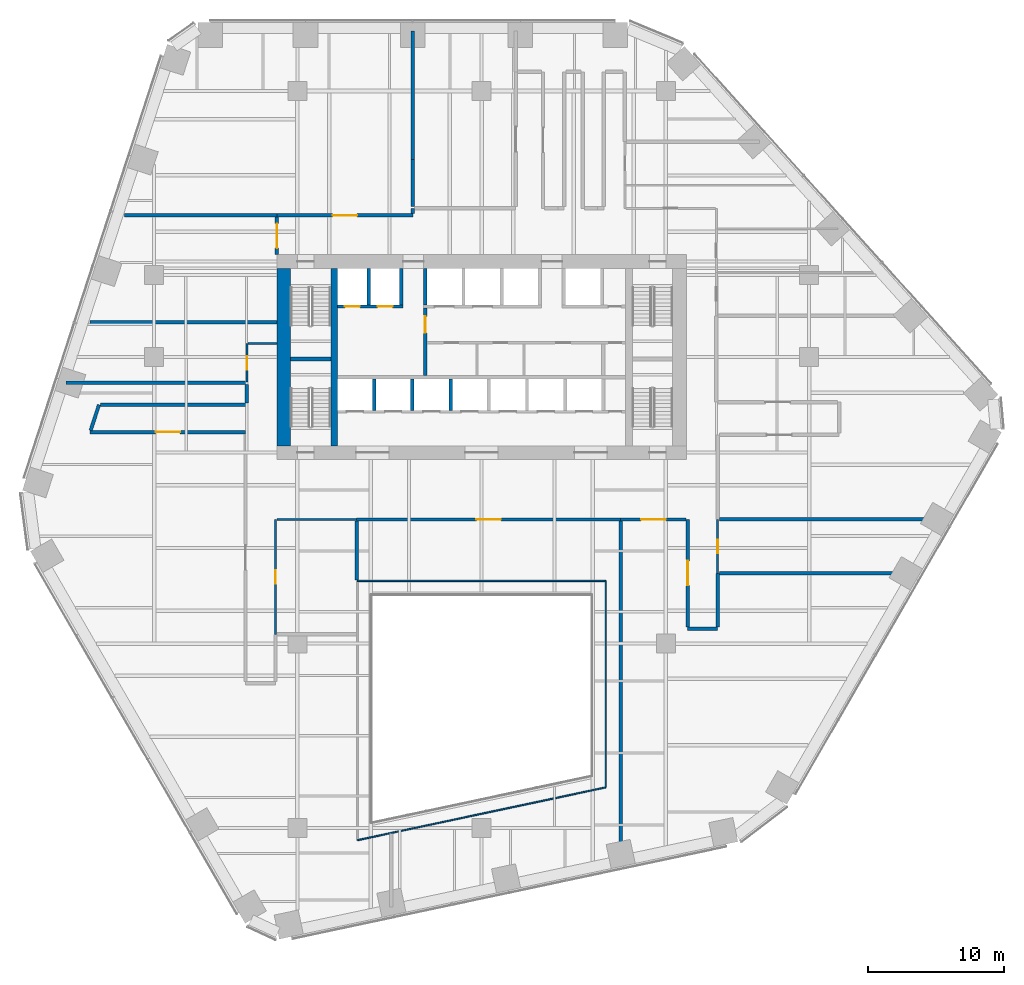
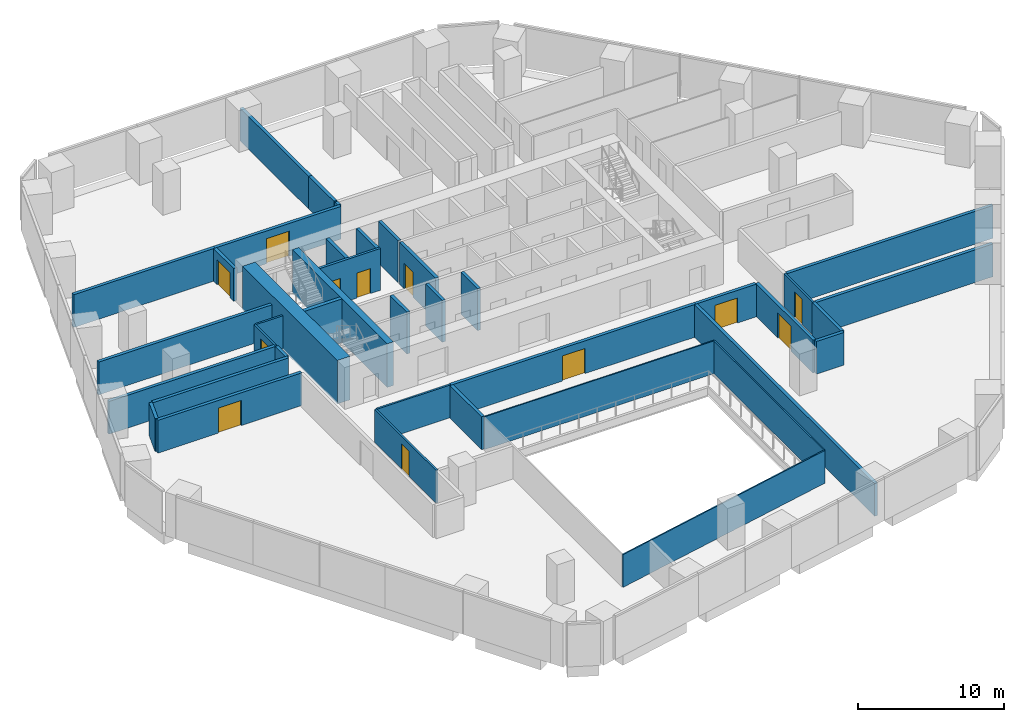
# One storey, part 14 of 21: 40 walls, 12 doors, 12 openings.
"""IFC4 building model written with IfcOpenShell, lengths in metres."""

from ifc_helpers import new_model, si_unit, direction, frame, frame_2d, origin, place, context, subcontext, project, spatial, rectangle, extrude, material, layer, layer_set, type_object, element, fill, save


model = new_model("IFC4")

# Units and contexts
model_context = context("Model", 3, precision=1e-05, world=origin(), true_north=direction((0.0, 1.0)))
body_context = subcontext(model_context, "Body", "Model", "MODEL_VIEW")
ifc_project = project(units=[si_unit("LENGTHUNIT", "METRE"), si_unit("AREAUNIT", "SQUARE_METRE"), si_unit("VOLUMEUNIT", "CUBIC_METRE"), si_unit("PLANEANGLEUNIT", "RADIAN"), si_unit("MASSUNIT", "GRAM", prefix="KILO")], contexts=[model_context])

# Site, building, storey
site_placement = place(None, origin())
site = spatial("IfcSite", under=ifc_project, at=site_placement, CompositionType="ELEMENT")
building_placement = place(site_placement, origin())
building = spatial("IfcBuilding", under=site, at=building_placement, Name="Isthmus Gate Tower", CompositionType="ELEMENT")
storey_placement = place(building_placement, frame((0.0, 0.0, 50.60009765625)))
storey = spatial("IfcBuildingStorey", under=building, at=storey_placement, Name="L10", CompositionType="ELEMENT", Elevation=50.60009765625)

# Wall, opening, door
ifc_material_1 = material(Name="Double-leaf acoustic stud wall, fire-rated", Category="gypsum")
ifc_layer_1 = layer(ifc_material_1, 0.25)
ifc_layer_set_1 = layer_set([ifc_layer_1], Name="ACOUSTIC WALL 250 60 MIN")
wall_type_1 = type_object("IfcWallType", Name="ACOUSTIC WALL 250 60 MIN", PredefinedType="PARTITIONING", material=ifc_layer_set_1)
wall_1_placement = place(storey_placement, frame((10.19189453125, -4.39990234375, 0.0), z_axis=(0.0, 0.0, 1.0), x_axis=(-1.0, 0.0, 0.0)))
wall_1 = element("IfcWall", 1, at=wall_1_placement, inside=storey, type_object=wall_type_1, Name="L10 Acoustic Wall 250 60 Min", PredefinedType="PARTITIONING", context=body_context, shape_type="SweptSolid", body=[
    extrude(rectangle(XDim=19.343994140625, YDim=0.25, at=frame_2d((9.671875, 0.0))), origin(), (0.0, 0.0, 1.0), 2.7412109375),
])
opening_1_placement = place(wall_1_placement, frame((8.77197265625, 0.0, 0.0)))
opening_1 = element("IfcOpeningElement", 2, at=opening_1_placement, cuts=wall_1, Name="Opening DT-T1B-16", PredefinedType="OPENING", context=body_context, shape_type="SweptSolid", body=[
    extrude(rectangle(XDim=1.800048828125, YDim=2.10009765625, at=frame_2d((0.89990234375, 1.050048828125))), frame((0.0, 0.135009765625, 0.0), z_axis=(0.0, -1.0, 0.0), x_axis=(1.0, 0.0, 0.0)), (0.0, 0.0, 1.0), 0.27001953125),
])
ifc_material_2 = material(Name="Solid core timber door leaf, fire-rated", Category="wood")
door_type_1 = type_object("IfcDoorType", Name="FIRE DOOR ACOUSTIC ROOM 1800 X 2100 60 MIN", OperationType="DOUBLE_DOOR_DOUBLE_SWING", PredefinedType="DOOR", material=ifc_material_2)
door_1_placement = place(opening_1_placement, origin())
door_1 = element("IfcDoor", 3, at=door_1_placement, inside=storey, type_object=door_type_1, Name="L10 room door", OperationType="DOUBLE_DOOR_DOUBLE_SWING", OverallHeight=2.10009765625, OverallWidth=1.800048828125, PredefinedType="DOOR", context=body_context, shape_type="SweptSolid", body=[
    extrude(rectangle(XDim=1.800048828125, YDim=2.10009765625, at=frame_2d((0.89990234375, 1.050048828125))), frame((0.0, 0.02490234375, 0.0), z_axis=(0.0, -1.0, 0.0), x_axis=(1.0, 0.0, 0.0)), (0.0, 0.0, 1.0), 0.050048828125),
])
fill(opening_1, door_1)

wall_2_placement = place(storey_placement, frame((14.97509765625, -4.39990234375, 0.0), z_axis=(0.0, 0.0, 1.0), x_axis=(-1.0, 0.0, 0.0)))
wall_2 = element("IfcWall", 4, at=wall_2_placement, inside=storey, type_object=wall_type_1, Name="L10 Acoustic Wall 250 60 Min", PredefinedType="PARTITIONING", context=body_context, shape_type="SweptSolid", body=[
    extrude(rectangle(XDim=4.783203125, YDim=0.25, at=frame_2d((2.3916015625, 0.0))), origin(), (0.0, 0.0, 1.0), 2.7412109375),
])
opening_2_placement = place(wall_2_placement, frame((1.47900390625, 0.0, 0.0)))
opening_2 = element("IfcOpeningElement", 5, at=opening_2_placement, cuts=wall_2, Name="Opening DT-T1B-18", PredefinedType="OPENING", context=body_context, shape_type="SweptSolid", body=[
    extrude(rectangle(XDim=1.800048828125, YDim=2.10009765625, at=frame_2d((0.89990234375, 1.050048828125))), frame((0.0, 0.135009765625, 0.0), z_axis=(0.0, -1.0, 0.0), x_axis=(1.0, 0.0, 0.0)), (0.0, 0.0, 1.0), 0.27001953125),
])
door_2_placement = place(opening_2_placement, origin())
door_2 = element("IfcDoor", 6, at=door_2_placement, inside=storey, type_object=door_type_1, Name="L10 room door", OperationType="DOUBLE_DOOR_DOUBLE_SWING", OverallHeight=2.10009765625, OverallWidth=1.800048828125, PredefinedType="DOOR", context=body_context, shape_type="SweptSolid", body=[
    extrude(rectangle(XDim=1.800048828125, YDim=2.10009765625, at=frame_2d((0.89990234375, 1.050048828125))), frame((0.0, 0.02490234375, 0.0), z_axis=(0.0, -1.0, 0.0), x_axis=(1.0, 0.0, 0.0)), (0.0, 0.0, 1.0), 0.050048828125),
])
fill(opening_2, door_2)

# Walls
wall_3_placement = place(storey_placement, frame((17.300048828125, -12.39990234375, 0.0), z_axis=(0.0, 0.0, 1.0), x_axis=(-1.0, 0.0, 0.0)))
element("IfcWall", 7, at=wall_3_placement, inside=storey, type_object=wall_type_1, Name="L10 Acoustic Wall 250 60 Min", PredefinedType="PARTITIONING", context=body_context, shape_type="SweptSolid", body=[
    extrude(rectangle(XDim=2.199951171875, YDim=0.25, at=frame_2d((1.10009765625, 0.0))), origin(), (0.0, 0.0, 1.0), 2.7412109375),
])
wall_4_placement = place(storey_placement, frame((17.300048828125, -8.35009765625, 0.0), z_axis=(0.0, 0.0, 1.0), x_axis=(0.0, -1.0, 0.0)))
element("IfcWall", 8, at=wall_4_placement, inside=storey, type_object=wall_type_1, Name="L10 Acoustic Wall 250 60 Min", PredefinedType="PARTITIONING", context=body_context, shape_type="SweptSolid", body=[
    extrude(rectangle(XDim=3.9248046875, YDim=0.25, at=frame_2d((1.96240234375, 0.0))), origin(), (0.0, 0.0, 1.0), 2.7412109375),
])

# Wall, opening, door
wall_5_placement = place(storey_placement, frame((-17.300048828125, 2.0, 0.0), z_axis=(0.0, 0.0, 1.0), x_axis=(-1.0, 0.0, 0.0)))
wall_5 = element("IfcWall", 9, at=wall_5_placement, inside=storey, type_object=wall_type_1, Name="L10 Acoustic Wall 250 60 Min", PredefinedType="PARTITIONING", context=body_context, shape_type="SweptSolid", body=[
    extrude(rectangle(XDim=11.386962890625, YDim=0.25, at=frame_2d((5.693359375, 0.0))), origin(), (0.0, 0.0, 1.0), 2.7412109375),
])
opening_3_placement = place(wall_5_placement, frame((4.79345703125, 0.0, 0.0)))
opening_3 = element("IfcOpeningElement", 10, at=opening_3_placement, cuts=wall_5, Name="Opening DT-T1B-15", PredefinedType="OPENING", context=body_context, shape_type="SweptSolid", body=[
    extrude(rectangle(XDim=1.800048828125, YDim=2.10009765625, at=frame_2d((0.89990234375, 1.050048828125))), frame((0.0, 0.135009765625, 0.0), z_axis=(0.0, -1.0, 0.0), x_axis=(1.0, 0.0, 0.0)), (0.0, 0.0, 1.0), 0.27001953125),
])
door_3_placement = place(opening_3_placement, origin())
door_3 = element("IfcDoor", 11, at=door_3_placement, inside=storey, type_object=door_type_1, Name="L10 room door", OperationType="DOUBLE_DOOR_DOUBLE_SWING", OverallHeight=2.10009765625, OverallWidth=1.800048828125, PredefinedType="DOOR", context=body_context, shape_type="SweptSolid", body=[
    extrude(rectangle(XDim=1.800048828125, YDim=2.10009765625, at=frame_2d((0.89990234375, 1.050048828125))), frame((0.0, 0.02490234375, 0.0), z_axis=(0.0, -1.0, 0.0), x_axis=(1.0, 0.0, 0.0)), (0.0, 0.0, 1.0), 0.050048828125),
])
fill(opening_3, door_3)

wall_6_placement = place(storey_placement, frame((-15.0, 17.881103515625, 0.0), z_axis=(0.0, 0.0, 1.0), x_axis=(0.999999975691, -0.000220496356, 0.0)))
wall_6 = element("IfcWall", 12, at=wall_6_placement, inside=storey, type_object=wall_type_1, Name="L10 Acoustic Wall 250 60 Min", PredefinedType="PARTITIONING", context=body_context, shape_type="SweptSolid", body=[
    extrude(rectangle(XDim=9.965087890625, YDim=0.25, at=frame_2d((4.982421875, 0.0))), origin(), (0.0, 0.0, 1.0), 2.7412109375),
])
opening_4_placement = place(wall_6_placement, frame((4.08251953125, 0.0, 0.0)))
opening_4 = element("IfcOpeningElement", 13, at=opening_4_placement, cuts=wall_6, Name="Opening DT-T1B-01", PredefinedType="OPENING", context=body_context, shape_type="SweptSolid", body=[
    extrude(rectangle(XDim=1.800048828125, YDim=2.10009765625, at=frame_2d((0.89990234375, 1.050048828125))), frame((0.0, 0.135009765625, 0.0), z_axis=(0.0, -1.0, 0.0), x_axis=(1.0, 0.0, 0.0)), (0.0, 0.0, 1.0), 0.27001953125),
])
door_4_placement = place(opening_4_placement, origin())
door_4 = element("IfcDoor", 14, at=door_4_placement, inside=storey, type_object=door_type_1, Name="L10 room door", OperationType="DOUBLE_DOOR_DOUBLE_SWING", OverallHeight=2.10009765625, OverallWidth=1.800048828125, PredefinedType="DOOR", context=body_context, shape_type="SweptSolid", body=[
    extrude(rectangle(XDim=1.800048828125, YDim=2.10009765625, at=frame_2d((0.89990234375, 1.050048828125))), frame((0.0, 0.02490234375, 0.0), z_axis=(0.0, -1.0, 0.0), x_axis=(1.0, 0.0, 0.0)), (0.0, 0.0, 1.0), 0.050048828125),
])
fill(opening_4, door_4)

# Walls
wall_7_placement = place(storey_placement, frame((-5.034912109375, 18.00390625, 0.0), z_axis=(0.0, 0.0, 1.0), x_axis=(0.0, 1.0, 0.0)))
element("IfcWall", 15, at=wall_7_placement, inside=storey, type_object=wall_type_1, Name="L10 Acoustic Wall 250 60 Min", PredefinedType="PARTITIONING", context=body_context, shape_type="SweptSolid", body=[
    extrude(rectangle(XDim=0.39599609375, YDim=0.25, at=frame_2d((0.197998046875, 0.0))), origin(), (0.0, 0.0, 1.0), 2.7412109375),
])
wall_8_placement = place(storey_placement, frame((-5.037109375, 21.968017578125, 0.0), z_axis=(0.0, 0.0, 1.0), x_axis=(0.0, 1.0, 0.0)))
element("IfcWall", 16, at=wall_8_placement, inside=storey, type_object=wall_type_1, Name="L10 Acoustic Wall 250 60 Min", PredefinedType="PARTITIONING", context=body_context, shape_type="SweptSolid", body=[
    extrude(rectangle(XDim=9.431884765625, YDim=0.25, at=frame_2d((4.7158203125, 0.0))), origin(), (0.0, 0.0, 1.0), 2.7412109375),
])
wall_9_placement = place(storey_placement, frame((-26.169921875, 17.8828125, 0.0), z_axis=(0.0, 0.0, 1.0), x_axis=(0.999999988296, -0.000152998774, 0.0)))
element("IfcWall", 17, at=wall_9_placement, inside=storey, type_object=wall_type_1, Name="L10 Acoustic Wall 250 60 Min", PredefinedType="PARTITIONING", context=body_context, shape_type="SweptSolid", body=[
    extrude(rectangle(XDim=11.169921875, YDim=0.25, at=frame_2d((5.5849609375, 0.0))), origin(), (0.0, 0.0, 1.0), 2.7412109375),
])
wall_10_placement = place(storey_placement, frame((-5.037109375, 21.968017578125, 0.0), z_axis=(0.0, 0.0, 1.0), x_axis=(0.000567255103, -0.999999839111, 0.0)))
element("IfcWall", 18, at=wall_10_placement, inside=storey, type_object=wall_type_1, Name="L10 Acoustic Wall 250 60 Min", PredefinedType="PARTITIONING", context=body_context, shape_type="SweptSolid", body=[
    extrude(rectangle(XDim=3.443115234375, YDim=0.25, at=frame_2d((1.7216796875, 0.0))), origin(), (0.0, 0.0, 1.0), 2.7412109375),
])

# Wall, opening, door
wall_11_placement = place(storey_placement, frame((-15.001953125, 14.998046875, 0.0), z_axis=(0.0, 0.0, 1.0), x_axis=(0.000708152429, 0.99999974926, 0.0)))
wall_11 = element("IfcWall", 19, at=wall_11_placement, inside=storey, type_object=wall_type_1, Name="L10 Acoustic Wall 250 60 Min", PredefinedType="PARTITIONING", context=body_context, shape_type="SweptSolid", body=[
    extrude(rectangle(XDim=2.758056640625, YDim=0.25, at=frame_2d((1.37890625, 0.0))), origin(), (0.0, 0.0, 1.0), 2.7412109375),
])
opening_5_placement = place(wall_11_placement, frame((0.47900390625, 0.0, 0.0)))
opening_5 = element("IfcOpeningElement", 20, at=opening_5_placement, cuts=wall_11, Name="Opening DT-T1B-07", PredefinedType="OPENING", context=body_context, shape_type="SweptSolid", body=[
    extrude(rectangle(XDim=1.800048828125, YDim=2.10009765625, at=frame_2d((0.89990234375, 1.050048828125))), frame((0.0, 0.135009765625, 0.0), z_axis=(0.0, -1.0, 0.0), x_axis=(1.0, 0.0, 0.0)), (0.0, 0.0, 1.0), 0.27001953125),
])
door_5_placement = place(opening_5_placement, origin())
door_5 = element("IfcDoor", 21, at=door_5_placement, inside=storey, type_object=door_type_1, Name="L10 room door", OperationType="DOUBLE_DOOR_DOUBLE_SWING", OverallHeight=2.10009765625, OverallWidth=1.800048828125, PredefinedType="DOOR", context=body_context, shape_type="SweptSolid", body=[
    extrude(rectangle(XDim=1.800048828125, YDim=2.10009765625, at=frame_2d((0.89990234375, 1.050048828125))), frame((0.0, 0.02490234375, 0.0), z_axis=(0.0, -1.0, 0.0), x_axis=(1.0, 0.0, 0.0)), (0.0, 0.0, 1.0), 0.050048828125),
])
fill(opening_5, door_5)

# Walls
wall_12_placement = place(storey_placement, frame((-28.714111328125, 10.052001953125, 0.0), z_axis=(0.0, 0.0, 1.0), x_axis=(1.0, 0.0, 0.0)))
element("IfcWall", 22, at=wall_12_placement, inside=storey, type_object=wall_type_1, Name="L10 Acoustic Wall 250 60 Min", PredefinedType="PARTITIONING", context=body_context, shape_type="SweptSolid", body=[
    extrude(rectangle(XDim=13.714111328125, YDim=0.25, at=frame_2d((6.85693359375, 0.0))), origin(), (0.0, 0.0, 1.0), 2.7412109375),
])
wall_13_placement = place(storey_placement, frame((-30.450927734375, 5.6298828125, 0.0), z_axis=(0.0, 0.0, 1.0), x_axis=(1.0, 0.0, 0.0)))
element("IfcWall", 23, at=wall_13_placement, inside=storey, type_object=wall_type_1, Name="L10 Acoustic Wall 250 60 Min", PredefinedType="PARTITIONING", context=body_context, shape_type="SweptSolid", body=[
    extrude(rectangle(XDim=13.176025390625, YDim=0.25, at=frame_2d((6.587890625, 0.0))), origin(), (0.0, 0.0, 1.0), 2.7412109375),
])
wall_14_placement = place(storey_placement, frame((17.427001953125, -4.3720703125, 0.0), z_axis=(0.0, 0.0, 1.0), x_axis=(1.0, 0.0, 0.0)))
element("IfcWall", 24, at=wall_14_placement, inside=storey, type_object=wall_type_1, Name="L10 Acoustic Wall 250 60 Min", PredefinedType="PARTITIONING", context=body_context, shape_type="SweptSolid", body=[
    extrude(rectangle(XDim=16.305908203125, YDim=0.25, at=frame_2d((8.15283203125, 0.0))), origin(), (0.0, 0.0, 1.0), 2.7412109375),
])
wall_15_placement = place(storey_placement, frame((-9.152099609375, -8.85205078125, 0.0), z_axis=(0.0, 0.0, 1.0), x_axis=(0.0, 1.0, 0.0)))
element("IfcWall", 25, at=wall_15_placement, inside=storey, type_object=wall_type_1, Name="L10 Acoustic Wall 250 60 Min", PredefinedType="PARTITIONING", context=body_context, shape_type="SweptSolid", body=[
    extrude(rectangle(XDim=4.3271484375, YDim=0.25, at=frame_2d((2.16357421875, 0.0))), origin(), (0.0, 0.0, 1.0), 2.7412109375),
])
wall_16_placement = place(storey_placement, frame((17.425048828125, -8.35009765625, 0.0), z_axis=(0.0, 0.0, 1.0), x_axis=(1.0, 0.0, 0.0)))
element("IfcWall", 26, at=wall_16_placement, inside=storey, type_object=wall_type_1, Name="L10 Acoustic Wall 250 60 Min", PredefinedType="PARTITIONING", context=body_context, shape_type="SweptSolid", body=[
    extrude(rectangle(XDim=14.011962890625, YDim=0.25, at=frame_2d((7.005859375, 0.0))), origin(), (0.0, 0.0, 1.0), 2.7412109375),
])
wall_17_placement = place(storey_placement, frame((-28.646484375, 2.125, 0.0), z_axis=(0.0, 0.0, 1.0), x_axis=(0.309086072338, 0.951034068731, 0.0)))
element("IfcWall", 27, at=wall_17_placement, inside=storey, type_object=wall_type_1, Name="L10 Acoustic Wall 250 60 Min", PredefinedType="PARTITIONING", context=body_context, shape_type="SweptSolid", body=[
    extrude(rectangle(XDim=1.971435546875, YDim=0.25, at=frame_2d((0.98583984375, 0.0))), origin(), (0.0, 0.0, 1.0), 2.7412109375),
])
wall_18_placement = place(storey_placement, frame((-27.912109375, 4.0, 0.0), z_axis=(0.0, 0.0, 1.0), x_axis=(1.0, 0.0, 0.0)))
element("IfcWall", 28, at=wall_18_placement, inside=storey, type_object=wall_type_1, Name="L10 Acoustic Wall 250 60 Min", PredefinedType="PARTITIONING", context=body_context, shape_type="SweptSolid", body=[
    extrude(rectangle(XDim=10.712158203125, YDim=0.25, at=frame_2d((5.35595703125, 0.0))), origin(), (0.0, 0.0, 1.0), 2.7412109375),
])
wall_19_placement = place(storey_placement, frame((-17.199951171875, 4.125, 0.0), z_axis=(0.0, 0.0, 1.0), x_axis=(0.0, 1.0, 0.0)))
element("IfcWall", 29, at=wall_19_placement, inside=storey, type_object=wall_type_1, Name="L10 Acoustic Wall 250 60 Min", PredefinedType="PARTITIONING", context=body_context, shape_type="SweptSolid", body=[
    extrude(rectangle(XDim=1.3798828125, YDim=0.25, at=frame_2d((0.68994140625, 0.0))), origin(), (0.0, 0.0, 1.0), 2.7412109375),
])
wall_20_placement = place(storey_placement, frame((10.19189453125, -29.219970703125, 0.0), z_axis=(0.0, 0.0, 1.0), x_axis=(0.0, 1.0, 0.0)))
element("IfcWall", 30, at=wall_20_placement, inside=storey, type_object=wall_type_1, Name="L10 Acoustic Wall 250 60 Min", PredefinedType="PARTITIONING", context=body_context, shape_type="SweptSolid", body=[
    extrude(rectangle(XDim=24.695068359375, YDim=0.25, at=frame_2d((12.34765625, 0.0))), origin(), (0.0, 0.0, 1.0), 2.7412109375),
])

# Wall, opening, door
wall_21_placement = place(storey_placement, frame((15.10009765625, -12.27490234375, 0.0), z_axis=(0.0, 0.0, 1.0), x_axis=(0.0, 1.0, 0.0)))
wall_21 = element("IfcWall", 31, at=wall_21_placement, inside=storey, type_object=wall_type_1, Name="L10 Acoustic Wall 250 60 Min", PredefinedType="PARTITIONING", context=body_context, shape_type="SweptSolid", body=[
    extrude(rectangle(XDim=7.875, YDim=0.25, at=frame_2d((3.9375, 0.0))), origin(), (0.0, 0.0, 1.0), 2.7412109375),
])
opening_6_placement = place(wall_21_placement, frame((3.03759765625, 0.0, 0.0)))
opening_6 = element("IfcOpeningElement", 32, at=opening_6_placement, cuts=wall_21, Name="Opening DT-T1B-17", PredefinedType="OPENING", context=body_context, shape_type="SweptSolid", body=[
    extrude(rectangle(XDim=1.800048828125, YDim=2.10009765625, at=frame_2d((0.89990234375, 1.050048828125))), frame((0.0, 0.135009765625, 0.0), z_axis=(0.0, -1.0, 0.0), x_axis=(1.0, 0.0, 0.0)), (0.0, 0.0, 1.0), 0.27001953125),
])
door_6_placement = place(opening_6_placement, origin())
door_6 = element("IfcDoor", 33, at=door_6_placement, inside=storey, type_object=door_type_1, Name="L10 room door", OperationType="DOUBLE_DOOR_DOUBLE_SWING", OverallHeight=2.10009765625, OverallWidth=1.800048828125, PredefinedType="DOOR", context=body_context, shape_type="SweptSolid", body=[
    extrude(rectangle(XDim=1.800048828125, YDim=2.10009765625, at=frame_2d((0.89990234375, 1.050048828125))), frame((0.0, 0.02490234375, 0.0), z_axis=(0.0, -1.0, 0.0), x_axis=(1.0, 0.0, 0.0)), (0.0, 0.0, 1.0), 0.050048828125),
])
fill(opening_6, door_6)

# Walls
ifc_material_3 = material(Name="Fire-rated laminated glass in steel frame", Category="steel")
ifc_layer_2 = layer(ifc_material_3, 0.10009765625)
ifc_layer_set_2 = layer_set([ifc_layer_2], Name="ATRIUM SCREEN GLAZED WALL 100 120 MIN")
wall_type_2 = type_object("IfcWallType", Name="ATRIUM SCREEN GLAZED WALL 100 120 MIN", PredefinedType="PARTITIONING", material=ifc_layer_set_2)
wall_22_placement = place(storey_placement, frame((-9.10009765625, -8.89990234375, 0.0), z_axis=(0.0, 0.0, 1.0), x_axis=(1.0, 0.0, 0.0)))
element("IfcWall", 34, at=wall_22_placement, inside=storey, type_object=wall_type_2, Name="L10 atrium screen", PredefinedType="PARTITIONING", context=body_context, shape_type="SweptSolid", body=[
    extrude(rectangle(XDim=18.2001953125, YDim=0.10009765625, at=frame_2d((9.10009765625, 0.0))), origin(), (0.0, 0.0, 1.0), 2.7412109375),
])
wall_23_placement = place(storey_placement, frame((9.10009765625, -8.89990234375, 0.0), z_axis=(0.0, 0.0, 1.0), x_axis=(0.0, -1.0, 0.0)))
element("IfcWall", 35, at=wall_23_placement, inside=storey, type_object=wall_type_2, Name="L10 atrium screen", PredefinedType="PARTITIONING", context=body_context, shape_type="SweptSolid", body=[
    extrude(rectangle(XDim=15.134033203125, YDim=0.10009765625, at=frame_2d((7.56689453125, 0.0))), origin(), (0.0, 0.0, 1.0), 2.7412109375),
])
wall_24_placement = place(storey_placement, frame((9.10009765625, -24.033935546875, 0.0), z_axis=(0.0, 0.0, 1.0), x_axis=(-0.978146710971, -0.207915876778, 0.0)))
element("IfcWall", 36, at=wall_24_placement, inside=storey, type_object=wall_type_2, Name="L10 atrium screen", PredefinedType="PARTITIONING", context=body_context, shape_type="SweptSolid", body=[
    extrude(rectangle(XDim=18.60693359375, YDim=0.10009765625, at=frame_2d((9.303466796875, 0.0))), origin(), (0.0, 0.0, 1.0), 2.7412109375),
])
ifc_material_4 = material(Name="Gypsum board on steel studs, fire-rated", Category="steel")
ifc_layer_3 = layer(ifc_material_4, 0.14990234375)
ifc_layer_set_3 = layer_set([ifc_layer_3], Name="CORRIDOR WALL 150 60 MIN")
wall_type_3 = type_object("IfcWallType", Name="CORRIDOR WALL 150 60 MIN", PredefinedType="PARTITIONING", material=ifc_layer_set_3)
wall_25_placement = place(storey_placement, frame((-9.152099609375, -4.39990234375, 0.0), z_axis=(0.0, 0.0, 1.0), x_axis=(-1.0, 0.0, 0.0)))
element("IfcWall", 37, at=wall_25_placement, inside=storey, type_object=wall_type_3, Name="L10 Corridor Wall 150 60 Min", PredefinedType="PARTITIONING", context=body_context, shape_type="SweptSolid", body=[
    extrude(rectangle(XDim=5.847900390625, YDim=0.14990234375, at=frame_2d((2.923828125, 0.0))), origin(), (0.0, 0.0, 1.0), 2.7412109375),
])

# Wall, opening, door
wall_26_placement = place(storey_placement, frame((17.300048828125, -4.389892578125, 0.0), z_axis=(0.0, 0.0, 1.0), x_axis=(0.0, -1.0, 0.0)))
wall_26 = element("IfcWall", 38, at=wall_26_placement, inside=storey, type_object=wall_type_3, Name="L10 Corridor Wall 150 60 Min", PredefinedType="PARTITIONING", context=body_context, shape_type="SweptSolid", body=[
    extrude(rectangle(XDim=3.960205078125, YDim=0.14990234375, at=frame_2d((1.97998046875, 0.0))), origin(), (0.0, 0.0, 1.0), 2.7412109375),
])
opening_7_placement = place(wall_26_placement, frame((1.47998046875, 0.0, 0.0)))
opening_7 = element("IfcOpeningElement", 39, at=opening_7_placement, cuts=wall_26, Name="Opening DT-T1B-13", PredefinedType="OPENING", context=body_context, shape_type="SweptSolid", body=[
    extrude(rectangle(XDim=1.0, YDim=2.10009765625, at=frame_2d((0.5, 1.050048828125))), frame((0.0, 0.0849609375, 0.0), z_axis=(0.0, -1.0, 0.0), x_axis=(1.0, 0.0, 0.0)), (0.0, 0.0, 1.0), 0.169921875),
])
ifc_material_5 = material(Name="Solid core timber door leaf, fire-rated", Category="wood")
door_type_2 = type_object("IfcDoorType", Name="FIRE DOOR ROOM 1000 X 2100 60 MIN", OperationType="SINGLE_SWING_LEFT", PredefinedType="DOOR", material=ifc_material_5)
door_7_placement = place(opening_7_placement, origin())
door_7 = element("IfcDoor", 40, at=door_7_placement, inside=storey, type_object=door_type_2, Name="L10 room door", OperationType="SINGLE_SWING_RIGHT", OverallHeight=2.10009765625, OverallWidth=1.0, PredefinedType="DOOR", context=body_context, shape_type="SweptSolid", body=[
    extrude(rectangle(XDim=1.0, YDim=2.10009765625, at=frame_2d((0.5, 1.050048828125))), frame((0.0, 0.02490234375, 0.0), z_axis=(0.0, -1.0, 0.0), x_axis=(1.0, 0.0, 0.0)), (0.0, 0.0, 1.0), 0.050048828125),
])
fill(opening_7, door_7)

wall_27_placement = place(storey_placement, frame((-15.10009765625, -4.39990234375, 0.0), z_axis=(0.0, 0.0, 1.0), x_axis=(0.0, -1.0, 0.0)))
wall_27 = element("IfcWall", 41, at=wall_27_placement, inside=storey, type_object=wall_type_3, Name="L10 Corridor Wall 150 60 Min", PredefinedType="PARTITIONING", context=body_context, shape_type="SweptSolid", body=[
    extrude(rectangle(XDim=8.426025390625, YDim=0.14990234375, at=frame_2d((4.212890625, 0.0))), origin(), (0.0, 0.0, 1.0), 2.7412109375),
])
opening_8_placement = place(wall_27_placement, frame((3.712890625, 0.0, 0.0)))
opening_8 = element("IfcOpeningElement", 42, at=opening_8_placement, cuts=wall_27, Name="Opening DT-T1B-12", PredefinedType="OPENING", context=body_context, shape_type="SweptSolid", body=[
    extrude(rectangle(XDim=1.0, YDim=2.10009765625, at=frame_2d((0.5, 1.050048828125))), frame((0.0, 0.0849609375, 0.0), z_axis=(0.0, -1.0, 0.0), x_axis=(1.0, 0.0, 0.0)), (0.0, 0.0, 1.0), 0.169921875),
])
door_8_placement = place(opening_8_placement, origin())
door_8 = element("IfcDoor", 43, at=door_8_placement, inside=storey, type_object=door_type_2, Name="L10 room door", OperationType="SINGLE_SWING_RIGHT", OverallHeight=2.10009765625, OverallWidth=1.0, PredefinedType="DOOR", context=body_context, shape_type="SweptSolid", body=[
    extrude(rectangle(XDim=1.0, YDim=2.10009765625, at=frame_2d((0.5, 1.050048828125))), frame((0.0, 0.02490234375, 0.0), z_axis=(0.0, -1.0, 0.0), x_axis=(1.0, 0.0, 0.0)), (0.0, 0.0, 1.0), 0.050048828125),
])
fill(opening_8, door_8)

wall_28_placement = place(storey_placement, frame((-17.199951171875, 5.679931640625, 0.0), z_axis=(0.0, 0.0, 1.0), x_axis=(0.0, 1.0, 0.0)))
wall_28 = element("IfcWall", 44, at=wall_28_placement, inside=storey, type_object=wall_type_3, Name="L10 Corridor Wall 150 60 Min", PredefinedType="PARTITIONING", context=body_context, shape_type="SweptSolid", body=[
    extrude(rectangle(XDim=2.820068359375, YDim=0.14990234375, at=frame_2d((1.41015625, 0.0))), origin(), (0.0, 0.0, 1.0), 2.7412109375),
])
opening_9_placement = place(wall_28_placement, frame((0.885009765625, 0.0, 0.0)))
opening_9 = element("IfcOpeningElement", 45, at=opening_9_placement, cuts=wall_28, Name="Opening DT-T1B-09", PredefinedType="OPENING", context=body_context, shape_type="SweptSolid", body=[
    extrude(rectangle(XDim=1.0, YDim=2.10009765625, at=frame_2d((0.5, 1.050048828125))), frame((0.0, 0.0849609375, 0.0), z_axis=(0.0, -1.0, 0.0), x_axis=(1.0, 0.0, 0.0)), (0.0, 0.0, 1.0), 0.169921875),
])
door_9_placement = place(opening_9_placement, origin())
door_9 = element("IfcDoor", 46, at=door_9_placement, inside=storey, type_object=door_type_2, Name="L10 room door", OperationType="SINGLE_SWING_RIGHT", OverallHeight=2.10009765625, OverallWidth=1.0, PredefinedType="DOOR", context=body_context, shape_type="SweptSolid", body=[
    extrude(rectangle(XDim=1.0, YDim=2.10009765625, at=frame_2d((0.5, 1.050048828125))), frame((0.0, 0.02490234375, 0.0), z_axis=(0.0, -1.0, 0.0), x_axis=(1.0, 0.0, 0.0)), (0.0, 0.0, 1.0), 0.050048828125),
])
fill(opening_9, door_9)

# Wall
wall_29_placement = place(storey_placement, frame((-17.125, 8.5, 0.0), z_axis=(0.0, 0.0, 1.0), x_axis=(1.0, 0.0, 0.0)))
element("IfcWall", 47, at=wall_29_placement, inside=storey, type_object=wall_type_3, Name="L10 Corridor Wall 150 60 Min", PredefinedType="PARTITIONING", context=body_context, shape_type="SweptSolid", body=[
    extrude(rectangle(XDim=2.125, YDim=0.14990234375, at=frame_2d((1.0625, 0.0))), origin(), (0.0, 0.0, 1.0), 2.7412109375),
])

# Wall, opening, door
ifc_material_6 = material(Name="Fire-rated blockwork masonry, 15 MPa", Category="masonry")
ifc_layer_4 = layer(ifc_material_6, 0.25)
ifc_layer_set_4 = layer_set([ifc_layer_4], Name="FIRE-FIGHTING LOBBY WALL 250 90 MIN")
wall_type_4 = type_object("IfcWallType", Name="FIRE-FIGHTING LOBBY WALL 250 90 MIN", PredefinedType="PARTITIONING", material=ifc_layer_set_4)
wall_30_placement = place(storey_placement, frame((-4.125, 6.14990234375, 0.0), z_axis=(0.0, 0.0, 1.0), x_axis=(0.0, 1.0, 0.0)))
wall_30 = element("IfcWall", 48, at=wall_30_placement, inside=storey, type_object=wall_type_4, Name="L10 FIRE-FIGHTING LOBBY WALL 250 90 MIN", PredefinedType="PARTITIONING", context=body_context, shape_type="SweptSolid", body=[
    extrude(rectangle(XDim=4.9501953125, YDim=0.25, at=frame_2d((2.47509765625, 0.0))), origin(), (0.0, 0.0, 1.0), 3.5),
])
opening_10_placement = place(wall_30_placement, frame((3.125, 0.0, 0.0)))
opening_10 = element("IfcOpeningElement", 49, at=opening_10_placement, cuts=wall_30, Name="Opening DC-A03-01", PredefinedType="OPENING", context=body_context, shape_type="SweptSolid", body=[
    extrude(rectangle(XDim=1.199951171875, YDim=2.10009765625, at=frame_2d((0.60009765625, 1.050048828125))), frame((0.0, 0.135009765625, 0.0), z_axis=(0.0, -1.0, 0.0), x_axis=(1.0, 0.0, 0.0)), (0.0, 0.0, 1.0), 0.27001953125),
])
ifc_material_7 = material(Name="Steel door leaf, fire-rated", Category="steel")
door_type_3 = type_object("IfcDoorType", Name="LOBBY FIRE DOOR 1200 X 2100 90 MIN", OperationType="DOUBLE_DOOR_SINGLE_SWING", PredefinedType="DOOR", material=ifc_material_7)
door_10_placement = place(opening_10_placement, origin())
door_10 = element("IfcDoor", 50, at=door_10_placement, inside=storey, type_object=door_type_3, Name="Fire-fighting Lobby Door", OperationType="SINGLE_SWING_LEFT", OverallHeight=2.10009765625, OverallWidth=1.199951171875, PredefinedType="DOOR", context=body_context, shape_type="SweptSolid", body=[
    extrude(rectangle(XDim=1.199951171875, YDim=2.10009765625, at=frame_2d((0.60009765625, 1.050048828125))), frame((0.0, 0.02490234375, 0.0), z_axis=(0.0, -1.0, 0.0), x_axis=(1.0, 0.0, 0.0)), (0.0, 0.0, 1.0), 0.050048828125),
])
fill(opening_10, door_10)

# Walls
ifc_material_8 = material(Name="Concrete f'c 70 MPa", Category="concrete")
ifc_layer_5 = layer(ifc_material_8, 0.5)
ifc_layer_set_5 = layer_set([ifc_layer_5], Name="RC CORE SPINE WALL 500 F'C 70")
wall_type_5 = type_object("IfcWallType", Name="RC CORE SPINE WALL 500 F'C 70", PredefinedType="SOLIDWALL", material=ifc_layer_set_5)
wall_31_placement = place(storey_placement, frame((-10.800048828125, 1.0, -0.150146484375), z_axis=(0.0, 0.0, 1.0), x_axis=(0.0, 1.0, 0.0)))
element("IfcWall", 51, at=wall_31_placement, inside=storey, type_object=wall_type_5, Name="str-corewall-L10-SPW", PredefinedType="SOLIDWALL", context=body_context, shape_type="SweptSolid", body=[
    extrude(rectangle(XDim=13.0, YDim=0.5, at=frame_2d((6.5, 0.0))), origin(), (0.0, 0.0, 1.0), 3.650146484375),
])
ifc_material_9 = material(Name="Concrete f'c 70 MPa", Category="concrete")
ifc_layer_6 = layer(ifc_material_9, 1.0)
ifc_layer_set_6 = layer_set([ifc_layer_6], Name="RC CORE WALL 1000 F'C 70")
wall_type_6 = type_object("IfcWallType", Name="RC CORE WALL 1000 F'C 70", PredefinedType="SOLIDWALL", material=ifc_layer_set_6)
wall_32_placement = place(storey_placement, frame((-14.5, 1.0, -0.150146484375), z_axis=(0.0, 0.0, 1.0), x_axis=(0.0, 1.0, 0.0)))
element("IfcWall", 52, at=wall_32_placement, inside=storey, type_object=wall_type_6, Name="str-corewall-L10-W", PredefinedType="SOLIDWALL", context=body_context, shape_type="SweptSolid", body=[
    extrude(rectangle(XDim=13.0, YDim=1.0, at=frame_2d((6.5, 0.0))), origin(), (0.0, 0.0, 1.0), 3.650146484375),
])

# Wall, openings, doors
ifc_material_10 = material(Name="Fire-rated blockwork masonry, 15 MPa", Category="masonry")
ifc_layer_7 = layer(ifc_material_10, 0.199951171875)
ifc_layer_set_7 = layer_set([ifc_layer_7], Name="SHAFT FRONT WALL 200 120 MIN")
wall_type_7 = type_object("IfcWallType", Name="SHAFT FRONT WALL 200 120 MIN", PredefinedType="PARTITIONING", material=ifc_layer_set_7)
wall_33_placement = place(storey_placement, frame((-10.550048828125, 11.199951171875, 0.0), z_axis=(0.0, 0.0, 1.0), x_axis=(1.0, 0.0, 0.0)))
wall_33 = element("IfcWall", 53, at=wall_33_placement, inside=storey, type_object=wall_type_7, Name="L10 SHAFT FRONT WALL 200 120 MIN", PredefinedType="PARTITIONING", context=body_context, shape_type="SweptSolid", body=[
    extrude(rectangle(XDim=4.800048828125, YDim=0.199951171875, at=frame_2d((2.39990234375, 0.0))), origin(), (0.0, 0.0, 1.0), 3.5),
])
opening_11_placement = place(wall_33_placement, frame((0.52490234375, 0.0, 0.0)))
opening_11 = element("IfcOpeningElement", 54, at=opening_11_placement, cuts=wall_33, Name="Opening LD-LF1", PredefinedType="OPENING", context=body_context, shape_type="SweptSolid", body=[
    extrude(rectangle(XDim=1.10009765625, YDim=2.10009765625, at=frame_2d((0.550048828125, 1.050048828125))), frame((0.0, 0.10986328125, 0.0), z_axis=(0.0, -1.0, 0.0), x_axis=(1.0, 0.0, 0.0)), (0.0, 0.0, 1.0), 0.219970703125),
])
opening_12_placement = place(wall_33_placement, frame((2.925048828125, 0.0, 0.0)))
opening_12 = element("IfcOpeningElement", 55, at=opening_12_placement, cuts=wall_33, Name="Opening LD-LF2", PredefinedType="OPENING", context=body_context, shape_type="SweptSolid", body=[
    extrude(rectangle(XDim=1.10009765625, YDim=2.10009765625, at=frame_2d((0.550048828125, 1.050048828125))), frame((0.0, 0.10986328125, 0.0), z_axis=(0.0, -1.0, 0.0), x_axis=(1.0, 0.0, 0.0)), (0.0, 0.0, 1.0), 0.219970703125),
])
ifc_material_11 = material(Name="Stainless steel sliding leaf", Category="steel")
door_type_4 = type_object("IfcDoorType", Name="LIFT LANDING FIRE DOOR 1100 X 2100 90 MIN", OperationType="DOUBLE_DOOR_SLIDING", PredefinedType="DOOR", material=ifc_material_11)
door_11_placement = place(opening_11_placement, origin())
door_11 = element("IfcDoor", 56, at=door_11_placement, inside=storey, type_object=door_type_4, Name="Lift Landing Door LF1", OperationType="DOUBLE_DOOR_SLIDING", OverallHeight=2.10009765625, OverallWidth=1.10009765625, PredefinedType="DOOR", context=body_context, shape_type="SweptSolid", body=[
    extrude(rectangle(XDim=1.10009765625, YDim=2.10009765625, at=frame_2d((0.550048828125, 1.050048828125))), frame((0.0, 0.02490234375, 0.0), z_axis=(0.0, -1.0, 0.0), x_axis=(1.0, 0.0, 0.0)), (0.0, 0.0, 1.0), 0.050048828125),
])
fill(opening_11, door_11)
door_12_placement = place(opening_12_placement, origin())
door_12 = element("IfcDoor", 57, at=door_12_placement, inside=storey, type_object=door_type_4, Name="Lift Landing Door LF2", OperationType="DOUBLE_DOOR_SLIDING", OverallHeight=2.10009765625, OverallWidth=1.10009765625, PredefinedType="DOOR", context=body_context, shape_type="SweptSolid", body=[
    extrude(rectangle(XDim=1.10009765625, YDim=2.10009765625, at=frame_2d((0.550048828125, 1.050048828125))), frame((0.0, 0.02490234375, 0.0), z_axis=(0.0, -1.0, 0.0), x_axis=(1.0, 0.0, 0.0)), (0.0, 0.0, 1.0), 0.050048828125),
])
fill(opening_12, door_12)

# Walls
ifc_material_12 = material(Name="Fire-rated blockwork masonry, 15 MPa", Category="masonry")
ifc_layer_8 = layer(ifc_material_12, 0.25)
ifc_layer_set_8 = layer_set([ifc_layer_8], Name="SHAFT WALL 250 120 MIN")
wall_type_8 = type_object("IfcWallType", Name="SHAFT WALL 250 120 MIN", PredefinedType="PARTITIONING", material=ifc_layer_set_8)
for number, where, z_axis, x_axis, name in (
    (58, (-7.875, 3.60009765625, 0.0), (0.0, 0.0, 1.0), (0.0, 1.0, 0.0), "L10 SHAFT WALL 250 120 MIN"),
    (59, (-5.074951171875, 3.60009765625, 0.0), (0.0, 0.0, 1.0), (0.0, 1.0, 0.0), "L10 SHAFT WALL 250 120 MIN"),
    (60, (-2.27490234375, 3.60009765625, 0.0), (0.0, 0.0, 1.0), (0.0, 1.0, 0.0), "L10 SHAFT WALL 250 120 MIN"),
):
    element("IfcWall", number, at=place(storey_placement, frame(where, z_axis=z_axis, x_axis=x_axis)), inside=storey, type_object=wall_type_8, Name=name, PredefinedType="PARTITIONING", context=body_context, shape_type="SweptSolid", body=[
        extrude(rectangle(XDim=2.2998046875, YDim=0.25, at=frame_2d((1.14990234375, 0.0))), origin(), (0.0, 0.0, 1.0), 3.5),
    ])
for number, where, z_axis, x_axis, name in (
    (61, (-8.27490234375, 11.300048828125, 0.0), (0.0, 0.0, 1.0), (0.0, 1.0, 0.0), "L10 SHAFT WALL 250 120 MIN"),
    (62, (-5.875, 11.300048828125, 0.0), (0.0, 0.0, 1.0), (0.0, 1.0, 0.0), "L10 SHAFT WALL 250 120 MIN"),
    (63, (-4.125, 11.300048828125, 0.0), (0.0, 0.0, 1.0), (0.0, 1.0, 0.0), "L10 SHAFT WALL 250 120 MIN"),
):
    element("IfcWall", number, at=place(storey_placement, frame(where, z_axis=z_axis, x_axis=x_axis)), inside=storey, type_object=wall_type_8, Name=name, PredefinedType="PARTITIONING", context=body_context, shape_type="SweptSolid", body=[
        extrude(rectangle(XDim=2.699951171875, YDim=0.25, at=frame_2d((1.35009765625, 0.0))), origin(), (0.0, 0.0, 1.0), 3.5),
    ])
ifc_material_13 = material(Name="Concrete f'c 40 MPa", Category="concrete")
ifc_layer_9 = layer(ifc_material_13, 0.300048828125)
ifc_layer_set_9 = layer_set([ifc_layer_9], Name="STAIR ENCLOSURE WALL 300 180 MIN")
wall_type_9 = type_object("IfcWallType", Name="STAIR ENCLOSURE WALL 300 180 MIN", PredefinedType="SOLIDWALL", material=ifc_layer_set_9)
wall_34_placement = place(storey_placement, frame((-14.0, 7.35009765625, -0.150146484375), z_axis=(0.0, 0.0, 1.0), x_axis=(1.0, 0.0, 0.0)))
element("IfcWall", 64, at=wall_34_placement, inside=storey, type_object=wall_type_9, Name="L10 STAIR ENCLOSURE WALL 300 180 MIN", PredefinedType="SOLIDWALL", context=body_context, shape_type="SweptSolid", body=[
    extrude(rectangle(XDim=2.949951171875, YDim=0.300048828125, at=frame_2d((1.47509765625, 0.0))), origin(), (0.0, 0.0, 1.0), 3.650146484375),
])

save(model, "model.ifc")
